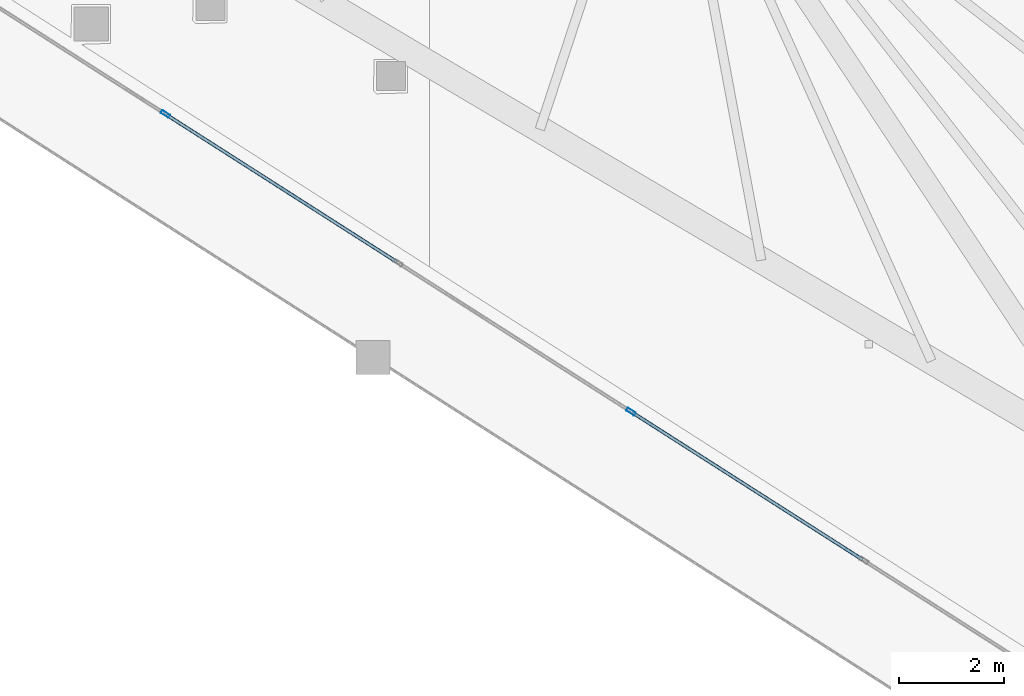
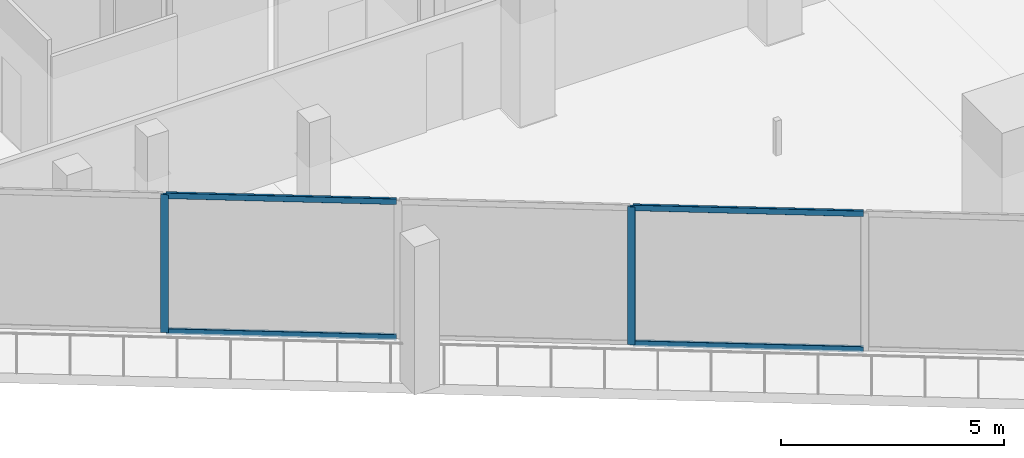
# One storey, part 2 of 30: 6 members, 1 element without a shape of its own.
"""IFC4 building model written with IfcOpenShell, lengths in metres."""

from ifc_helpers import new_model, si_unit, direction, frame, origin, origin_2d, place, context, subcontext, project, spatial, hollow_rectangle, extrude, material, layer, layer_set, material_profile, profile_set, type_object, element, aggregate, save


model = new_model("IFC4")

# Units and contexts
model_context = context("Model", 3, precision=1e-05, world=origin(), true_north=direction((0.0, 1.0)))
body_context = subcontext(model_context, "Body", "Model", "MODEL_VIEW")
ifc_project = project(units=[si_unit("LENGTHUNIT", "METRE"), si_unit("AREAUNIT", "SQUARE_METRE"), si_unit("VOLUMEUNIT", "CUBIC_METRE"), si_unit("PLANEANGLEUNIT", "RADIAN"), si_unit("MASSUNIT", "GRAM", prefix="KILO")], contexts=[model_context])

# Site, building, storey
site_placement = place(None, origin())
site = spatial("IfcSite", under=ifc_project, at=site_placement, CompositionType="ELEMENT")
building_placement = place(site_placement, origin())
building = spatial("IfcBuilding", under=site, at=building_placement, Name="Qorvath Tower", CompositionType="ELEMENT")
storey_placement = place(building_placement, frame((0.0, 0.0, 217.199951171875)))
storey = spatial("IfcBuildingStorey", under=building, at=storey_placement, Name="L50", CompositionType="ELEMENT", Elevation=217.199951171875)

# Curtain wall, members
ifc_material_1 = material(Name="Anodised aluminium and triple low-E glass", Category="aluminium")
ifc_layer = layer(ifc_material_1, 0.179931640625)
ifc_layer_set = layer_set([ifc_layer], Name="CW-SYS-3")
curtain_wall_type = type_object("IfcCurtainWallType", Name="CW-SYS-3", PredefinedType="NOTDEFINED", material=ifc_layer_set)
curtain_wall_placement = place(storey_placement, origin())
curtain_wall = element("IfcCurtainWall", 1, at=curtain_wall_placement, inside=storey, type_object=curtain_wall_type, Name="Curtain Wall CW-3 CW-T-L50-2.2", PredefinedType="NOTDEFINED")
ifc_material_2 = material(Name="Anodised aluminium 6063-T6", Category="aluminium")
ifc_material_profile_1 = material_profile(ifc_material_2, hollow_rectangle(XDim=0.06494140625, YDim=0.179931640625, WallThickness=0.00341796875, InnerFilletRadius=0.00341796875, OuterFilletRadius=0.007080078125, at=origin_2d()), Name="CWM 180x65")
ifc_profile_set_1 = profile_set([ifc_material_profile_1], Name="Anodised aluminium 6063-T6")
member_type_1 = type_object("IfcMemberType", Name="CWM-180", PredefinedType="MULLION", material=ifc_profile_set_1)
member_1_placement = place(storey_placement, frame((-34.95703125, -14.842041015625, 0.0), z_axis=(0.0, 0.0, 1.0), x_axis=(0.538534785809, 0.842603278224, 0.0)))
member_1 = element("IfcMember", 2, at=member_1_placement, type_object=member_type_1, Name="CW-3 mullion 4", PredefinedType="MULLION", context=body_context, shape_type="SweptSolid", body=[
    extrude(hollow_rectangle(XDim=0.06494140625, YDim=0.179931640625, WallThickness=0.00341796875, InnerFilletRadius=0.00341796875, OuterFilletRadius=0.007080078125, at=origin_2d()), origin(), (0.0, 0.0, 1.0), 3.780029296875),
])
member_2_placement = place(storey_placement, frame((-26.122802734375, -20.48828125, 0.0), z_axis=(0.0, 0.0, 1.0), x_axis=(0.538534785809, 0.842603278224, 0.0)))
member_2 = element("IfcMember", 3, at=member_2_placement, type_object=member_type_1, Name="CW-3 mullion 6", PredefinedType="MULLION", context=body_context, shape_type="SweptSolid", body=[
    extrude(hollow_rectangle(XDim=0.06494140625, YDim=0.179931640625, WallThickness=0.00341796875, InnerFilletRadius=0.00341796875, OuterFilletRadius=0.007080078125, at=origin_2d()), origin(), (0.0, 0.0, 1.0), 3.780029296875),
])
ifc_material_3 = material(Name="Anodised aluminium 6063-T6", Category="aluminium")
ifc_material_profile_2 = material_profile(ifc_material_3, hollow_rectangle(XDim=0.06494140625, YDim=0.159912109375, WallThickness=0.00341796875, InnerFilletRadius=0.00341796875, OuterFilletRadius=0.007080078125, at=origin_2d()), Name="CWT 160x65")
ifc_profile_set_2 = profile_set([ifc_material_profile_2], Name="Anodised aluminium 6063-T6")
member_type_2 = type_object("IfcMemberType", Name="CWT-160", PredefinedType="USERDEFINED", material=ifc_profile_set_2)
member_3_placement = place(storey_placement, frame((-34.9296875, -14.859375, 0.032470703125), z_axis=(0.842582136458, -0.538567863246, 0.0), x_axis=(0.538567863246, 0.842582136458, 0.0)))
member_3 = element("IfcMember", 4, at=member_3_placement, type_object=member_type_2, Name="CW-3 transom 4.1", ObjectType="TRANSOM", PredefinedType="USERDEFINED", context=body_context, shape_type="SweptSolid", body=[
    extrude(hollow_rectangle(XDim=0.06494140625, YDim=0.159912109375, WallThickness=0.00341796875, InnerFilletRadius=0.00341796875, OuterFilletRadius=0.007080078125, at=origin_2d()), origin(), (0.0, 0.0, 1.0), 5.17724609375),
])
member_4_placement = place(storey_placement, frame((-34.9296875, -14.859375, 3.74755859375), z_axis=(0.842582136458, -0.538567863246, 0.0), x_axis=(0.538567863246, 0.842582136458, 0.0)))
member_4 = element("IfcMember", 5, at=member_4_placement, type_object=member_type_2, Name="CW-3 transom 4.2", ObjectType="TRANSOM", PredefinedType="USERDEFINED", context=body_context, shape_type="SweptSolid", body=[
    extrude(hollow_rectangle(XDim=0.06494140625, YDim=0.159912109375, WallThickness=0.00341796875, InnerFilletRadius=0.00341796875, OuterFilletRadius=0.007080078125, at=origin_2d()), origin(), (0.0, 0.0, 1.0), 5.17724609375),
])
member_5_placement = place(storey_placement, frame((-26.095458984375, -20.505859375, 0.032470703125), z_axis=(0.842603535115, -0.538534383871, 0.0), x_axis=(0.538534383871, 0.842603535115, 0.0)))
member_5 = element("IfcMember", 6, at=member_5_placement, type_object=member_type_2, Name="CW-3 transom 6.1", ObjectType="TRANSOM", PredefinedType="USERDEFINED", context=body_context, shape_type="SweptSolid", body=[
    extrude(hollow_rectangle(XDim=0.06494140625, YDim=0.159912109375, WallThickness=0.00341796875, InnerFilletRadius=0.00341796875, OuterFilletRadius=0.007080078125, at=origin_2d()), origin(), (0.0, 0.0, 1.0), 5.17724609375),
])
member_6_placement = place(storey_placement, frame((-26.095458984375, -20.505859375, 3.74755859375), z_axis=(0.842603535115, -0.538534383871, 0.0), x_axis=(0.538534383871, 0.842603535115, 0.0)))
member_6 = element("IfcMember", 7, at=member_6_placement, type_object=member_type_2, Name="CW-3 transom 6.2", ObjectType="TRANSOM", PredefinedType="USERDEFINED", context=body_context, shape_type="SweptSolid", body=[
    extrude(hollow_rectangle(XDim=0.06494140625, YDim=0.159912109375, WallThickness=0.00341796875, InnerFilletRadius=0.00341796875, OuterFilletRadius=0.007080078125, at=origin_2d()), origin(), (0.0, 0.0, 1.0), 5.17724609375),
])
aggregate(curtain_wall, [member_1, member_2, member_3, member_4, member_5, member_6])

save(model, "model.ifc")
